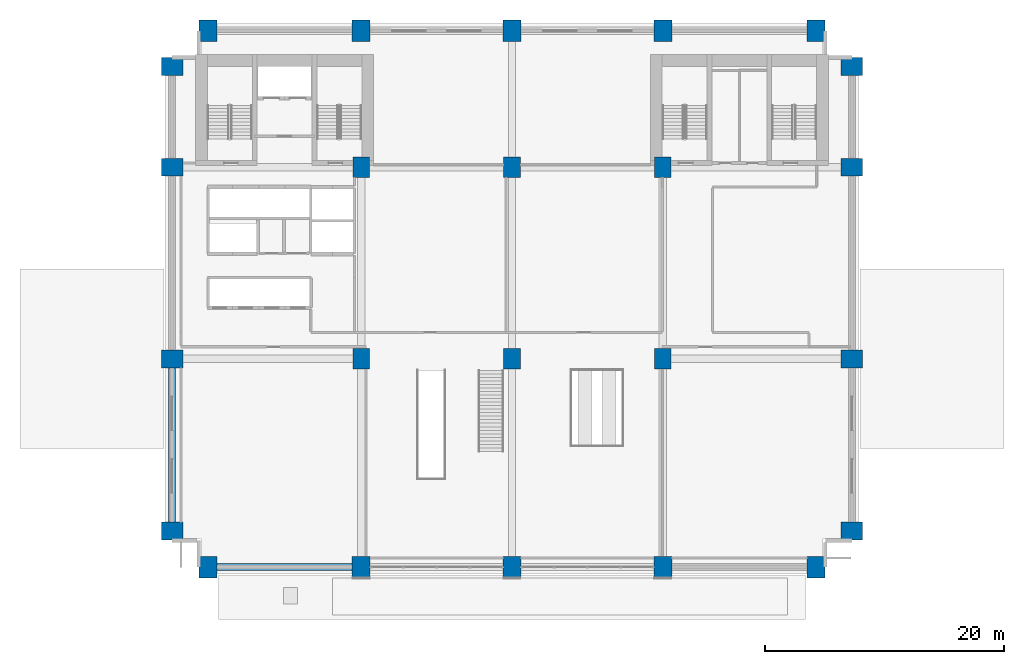
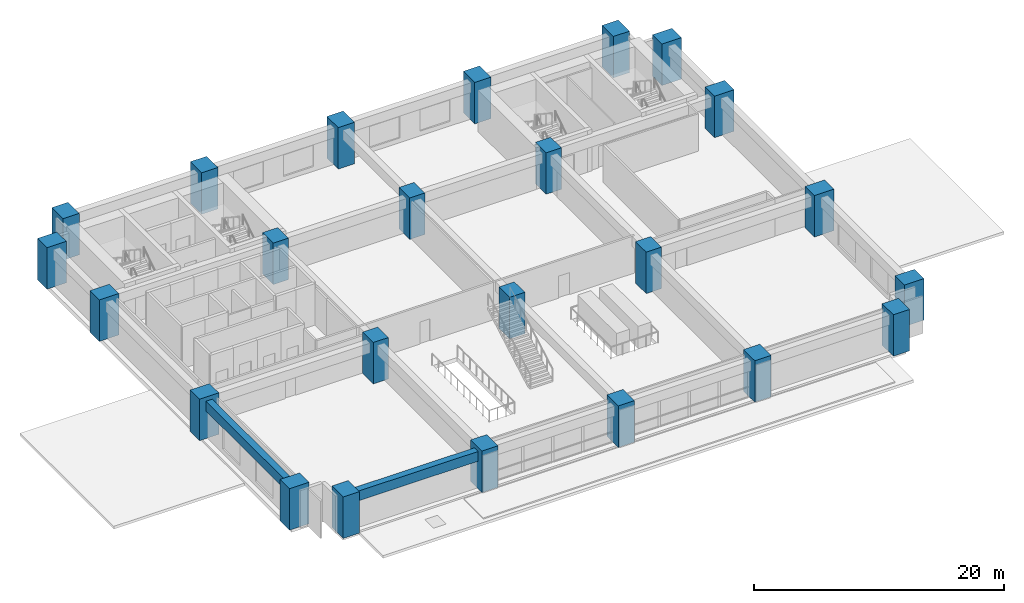
# One storey, part 1 of 11: 24 columns, 2 beams.
"""IFC4 building model written with IfcOpenShell, lengths in metres."""

from ifc_helpers import new_model, si_unit, direction, frame, origin, origin_2d, place, context, subcontext, project, spatial, rectangle, extrude, material, material_profile, profile_set, type_object, element, save


model = new_model("IFC4")

# Units and contexts
model_context = context("Model", 3, precision=1e-05, world=origin(), true_north=direction((0.0, 1.0)))
body_context = subcontext(model_context, "Body", "Model", "MODEL_VIEW")
ifc_project = project(units=[si_unit("LENGTHUNIT", "METRE"), si_unit("AREAUNIT", "SQUARE_METRE"), si_unit("VOLUMEUNIT", "CUBIC_METRE"), si_unit("PLANEANGLEUNIT", "RADIAN"), si_unit("MASSUNIT", "GRAM", prefix="KILO")], contexts=[model_context])

# Site, building, storey
site_placement = place(None, origin())
site = spatial("IfcSite", under=ifc_project, at=site_placement, CompositionType="ELEMENT")
building_placement = place(site_placement, origin())
building = spatial("IfcBuilding", under=site, at=building_placement, Name="Sulina Concourse Tower", CompositionType="ELEMENT")
storey_placement = place(building_placement, frame((0.0, 0.0, 5.39990234375)))
storey = spatial("IfcBuildingStorey", under=building, at=storey_placement, Name="L01", CompositionType="ELEMENT", Elevation=5.39990234375)

# Columns
ifc_material_1 = material(Name="Concrete C80/95", Category="concrete")
ifc_material_profile_1 = material_profile(ifc_material_1, rectangle(XDim=1.5, YDim=1.800048828125, at=origin_2d()), Name="RC 1500x1800")
ifc_profile_set_1 = profile_set([ifc_material_profile_1], Name="Concrete C80/95")
column_type_1 = type_object("IfcColumnType", Name="Station Concourse Mega-Column 1500x1800", PredefinedType="COLUMN", material=ifc_profile_set_1)
for number, where, z_axis, x_axis, name in (
    (1, (3.60009765625, 0.60009765625, 0.0), (0.0, 0.0, 1.0), (1.0, 0.0, 0.0), "L01 structural column MC-S1"),
    (2, (3.60009765625, 45.39990234375, 0.0), (0.0, 0.0, 1.0), (1.0, 0.0, 0.0), "L01 structural column MC-N1"),
    (3, (16.39990234375, 0.60009765625, 0.0), (0.0, 0.0, 1.0), (1.0, 0.0, 0.0), "L01 structural column MC-S2"),
    (4, (16.39990234375, 45.39990234375, 0.0), (0.0, 0.0, 1.0), (1.0, 0.0, 0.0), "L01 structural column MC-N2"),
    (5, (29.0, 0.60009765625, 0.0), (0.0, 0.0, 1.0), (1.0, 0.0, 0.0), "L01 structural column MC-S3"),
    (6, (29.0, 45.39990234375, 0.0), (0.0, 0.0, 1.0), (1.0, 0.0, 0.0), "L01 structural column MC-N3"),
    (7, (41.60009765625, 0.60009765625, 0.0), (0.0, 0.0, 1.0), (1.0, 0.0, 0.0), "L01 structural column MC-S4"),
    (8, (41.60009765625, 45.39990234375, 0.0), (0.0, 0.0, 1.0), (1.0, 0.0, 0.0), "L01 structural column MC-N4"),
    (9, (54.39990234375, 0.60009765625, 0.0), (0.0, 0.0, 1.0), (1.0, 0.0, 0.0), "L01 structural column MC-S5"),
    (10, (54.39990234375, 45.39990234375, 0.0), (0.0, 0.0, 1.0), (1.0, 0.0, 0.0), "L01 structural column MC-N5"),
    (11, (0.60009765625, 3.60009765625, 0.0), (0.0, 0.0, 1.0), (0.0, 1.0, 0.0), "L01 structural column MC-W1"),
    (12, (57.39990234375, 3.60009765625, 0.0), (0.0, 0.0, 1.0), (0.0, 1.0, 0.0), "L01 structural column MC-E1"),
    (13, (0.60009765625, 18.0, 0.0), (0.0, 0.0, 1.0), (0.0, 1.0, 0.0), "L01 structural column MC-W2"),
    (14, (57.39990234375, 18.0, 0.0), (0.0, 0.0, 1.0), (0.0, 1.0, 0.0), "L01 structural column MC-E2"),
    (15, (0.60009765625, 34.0, 0.0), (0.0, 0.0, 1.0), (0.0, 1.0, 0.0), "L01 structural column MC-W3"),
    (16, (57.39990234375, 34.0, 0.0), (0.0, 0.0, 1.0), (0.0, 1.0, 0.0), "L01 structural column MC-E3"),
    (17, (0.60009765625, 42.39990234375, 0.0), (0.0, 0.0, 1.0), (0.0, 1.0, 0.0), "L01 structural column MC-W4"),
    (18, (57.39990234375, 42.39990234375, 0.0), (0.0, 0.0, 1.0), (0.0, 1.0, 0.0), "L01 structural column MC-E4"),
):
    element("IfcColumn", number, at=place(storey_placement, frame(where, z_axis=z_axis, x_axis=x_axis)), inside=storey, type_object=column_type_1, Name=name, PredefinedType="COLUMN", context=body_context, shape_type="SweptSolid", body=[
        extrude(rectangle(XDim=1.5, YDim=1.800048828125, at=origin_2d()), origin(), (0.0, 0.0, 1.0), 4.050048828125),
    ])
ifc_material_2 = material(Name="Concrete C80/95", Category="concrete")
ifc_material_profile_2 = material_profile(ifc_material_2, rectangle(XDim=1.39990234375, YDim=1.699951171875, at=origin_2d()), Name="RC 1400x1700")
ifc_profile_set_2 = profile_set([ifc_material_profile_2], Name="Concrete C80/95")
column_type_2 = type_object("IfcColumnType", Name="Station Podium Column 1400x1700", PredefinedType="COLUMN", material=ifc_profile_set_2)
for number, where, z_axis, x_axis, name in (
    (19, (16.39990234375, 18.0, 0.0), (0.0, 0.0, 1.0), (1.0, 0.0, 0.0), "L01 structural column MC-M1"),
    (20, (16.39990234375, 34.0, 0.0), (0.0, 0.0, 1.0), (1.0, 0.0, 0.0), "L01 structural column MC-C1"),
    (21, (29.0, 18.0, 0.0), (0.0, 0.0, 1.0), (1.0, 0.0, 0.0), "L01 structural column MC-M2"),
    (22, (29.0, 34.0, 0.0), (0.0, 0.0, 1.0), (1.0, 0.0, 0.0), "L01 structural column MC-C2"),
    (23, (41.60009765625, 18.0, 0.0), (0.0, 0.0, 1.0), (1.0, 0.0, 0.0), "L01 structural column MC-M3"),
    (24, (41.60009765625, 34.0, 0.0), (0.0, 0.0, 1.0), (1.0, 0.0, 0.0), "L01 structural column MC-C3"),
):
    element("IfcColumn", number, at=place(storey_placement, frame(where, z_axis=z_axis, x_axis=x_axis)), inside=storey, type_object=column_type_2, Name=name, PredefinedType="COLUMN", context=body_context, shape_type="SweptSolid", body=[
        extrude(rectangle(XDim=1.39990234375, YDim=1.699951171875, at=origin_2d()), origin(), (0.0, 0.0, 1.0), 4.050048828125),
    ])

# Beams
ifc_material_3 = material(Name="Concrete C60/75", Category="concrete")
ifc_material_profile_3 = material_profile(ifc_material_3, rectangle(XDim=0.60009765625, YDim=0.949951171875, at=origin_2d()), Name="RC 600x950")
ifc_profile_set_3 = profile_set([ifc_material_profile_3], Name="Concrete C60/75")
beam_type = type_object("IfcBeamType", Name="Basement & Podium Primary Beam 600x950", PredefinedType="BEAM", material=ifc_profile_set_3)
beam_1_placement = place(storey_placement, frame((4.330078125, 0.60009765625, 3.175048828125), z_axis=(1.0, 0.0, 0.0), x_axis=(0.0, 1.0, 0.0)))
element("IfcBeam", 25, at=beam_1_placement, inside=storey, type_object=beam_type, Name="PB-S1-L01", PredefinedType="BEAM", context=body_context, shape_type="SweptSolid", body=[
    extrude(rectangle(XDim=0.60009765625, YDim=0.949951171875, at=origin_2d()), origin(), (0.0, 0.0, 1.0), 11.33984375),
])
beam_2_placement = place(storey_placement, frame((0.60009765625, 4.330078125, 3.175048828125), z_axis=(0.0, 1.0, 0.0), x_axis=(-1.0, 0.0, 0.0)))
element("IfcBeam", 26, at=beam_2_placement, inside=storey, type_object=beam_type, Name="PB-W1-L01", PredefinedType="BEAM", context=body_context, shape_type="SweptSolid", body=[
    extrude(rectangle(XDim=0.60009765625, YDim=0.949951171875, at=origin_2d()), origin(), (0.0, 0.0, 1.0), 12.93994140625),
])

save(model, "model.ifc")
